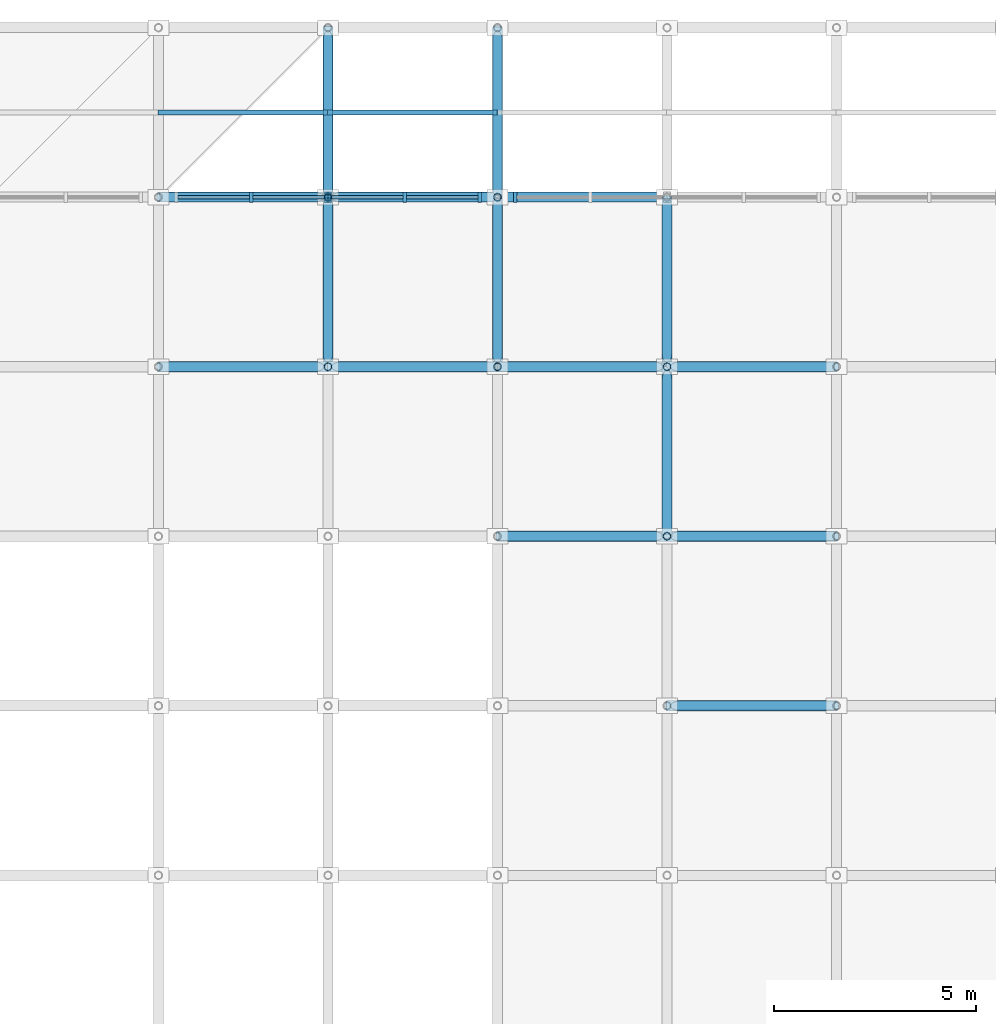
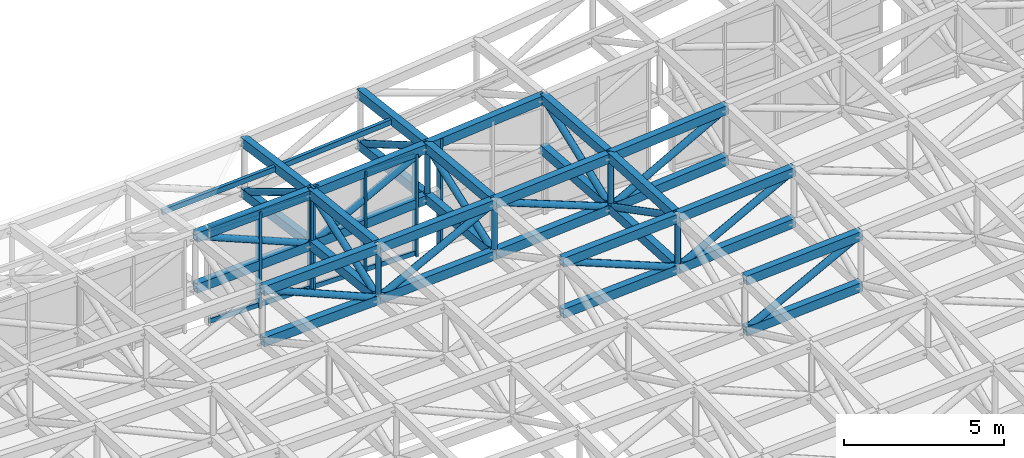
# One storey, part 54 of 111: 68 members, 3 elements without a shape of their own.
"""IFC4 building model written with IfcOpenShell, lengths in metres."""

from ifc_helpers import new_model, si_unit, direction, frame, origin, origin_2d, place, context, subcontext, project, spatial, rectangle, hollow_rectangle, hollow_circle, extrude, material, material_profile, profile_set, type_object, element, aggregate, save


model = new_model("IFC4")

# Units and contexts
model_context = context("Model", 3, precision=1e-05, world=origin(), true_north=direction((0.0, 1.0)))
body_context = subcontext(model_context, "Body", "Model", "MODEL_VIEW")
ifc_project = project(units=[si_unit("LENGTHUNIT", "METRE"), si_unit("AREAUNIT", "SQUARE_METRE"), si_unit("VOLUMEUNIT", "CUBIC_METRE"), si_unit("PLANEANGLEUNIT", "RADIAN"), si_unit("MASSUNIT", "GRAM", prefix="KILO")], contexts=[model_context])

# Site, building, storey
site_placement = place(None, origin())
site = spatial("IfcSite", under=ifc_project, at=site_placement, CompositionType="ELEMENT")
building_placement = place(site_placement, origin())
building = spatial("IfcBuilding", under=site, at=building_placement, Name="Cumbredor Promenade Congress Hotel", CompositionType="ELEMENT")
storey_placement = place(building_placement, frame((0.0, 0.0, 15.1201171875)))
storey = spatial("IfcBuildingStorey", under=building, at=storey_placement, Name="L04", CompositionType="ELEMENT", Elevation=15.1201171875)

# Curtain wall, members
ifc_material_1 = material(Name="Thermally broken anodized aluminium and low-E glass", Category="aluminium")
curtain_wall_type = type_object("IfcCurtainWallType", Name="Stepped Pavilion Clerestory Curtain Wall CW-06", PredefinedType="NOTDEFINED", material=ifc_material_1)
curtain_wall_1_placement = place(storey_placement, origin())
curtain_wall_1 = element("IfcCurtainWall", 1, at=curtain_wall_1_placement, inside=storey, type_object=curtain_wall_type, Name="Pre-Function and Breakout Meeting Forum N Glazed Clerestory 13", PredefinedType="NOTDEFINED")
ifc_material_2 = material(Name="Thermally broken anodized aluminium", Category="aluminium")
ifc_material_profile_1 = material_profile(ifc_material_2, rectangle(XDim=0.0849609375, YDim=0.260009765625, at=origin_2d()), Name="ALU MULLION CLERESTORY 85x260")
ifc_profile_set_1 = profile_set([ifc_material_profile_1], Name="Thermally broken anodized aluminium")
member_type_1 = type_object("IfcMemberType", Name="Curtain Wall Mullion ML-04", PredefinedType="MULLION", material=ifc_profile_set_1)
member_1_placement = place(storey_placement, frame((145.10009765625, 117.60009765625, -0.01806640625), z_axis=(0.0, 0.0, 1.0), x_axis=(1.0, 0.0, 0.0)))
member_1 = element("IfcMember", 2, at=member_1_placement, type_object=member_type_1, Name="Pre-Function and Breakout Meeting Forum N Glazed Clerestory 13 Mullion 2", PredefinedType="MULLION", context=body_context, shape_type="SweptSolid", body=[
    extrude(rectangle(XDim=0.0849609375, YDim=0.260009765625, at=origin_2d()), origin(), (0.0, 0.0, 1.0), 3.71533203125),
])
member_2_placement = place(storey_placement, frame((146.9599609375, 117.60009765625, -0.01806640625), z_axis=(0.0, 0.0, 1.0), x_axis=(1.0, 0.0, 0.0)))
member_2 = element("IfcMember", 3, at=member_2_placement, type_object=member_type_1, Name="Pre-Function and Breakout Meeting Forum N Glazed Clerestory 13 Mullion 3", PredefinedType="MULLION", context=body_context, shape_type="SweptSolid", body=[
    extrude(rectangle(XDim=0.0849609375, YDim=0.260009765625, at=origin_2d()), origin(), (0.0, 0.0, 1.0), 3.71533203125),
])

curtain_wall_2_placement = place(storey_placement, origin())
curtain_wall_2 = element("IfcCurtainWall", 4, at=curtain_wall_2_placement, inside=storey, type_object=curtain_wall_type, Name="Pre-Function and Breakout Meeting Forum N Glazed Clerestory 14", PredefinedType="NOTDEFINED")
member_3_placement = place(storey_placement, frame((147.0400390625, 117.60009765625, -0.01806640625), z_axis=(0.0, 0.0, 1.0), x_axis=(1.0, 0.0, 0.0)))
member_3 = element("IfcMember", 5, at=member_3_placement, type_object=member_type_1, Name="Pre-Function and Breakout Meeting Forum N Glazed Clerestory 14 Mullion 1", PredefinedType="MULLION", context=body_context, shape_type="SweptSolid", body=[
    extrude(rectangle(XDim=0.0849609375, YDim=0.260009765625, at=origin_2d()), origin(), (0.0, 0.0, 1.0), 3.92626953125),
])
member_4_placement = place(storey_placement, frame((148.89990234375, 117.60009765625, -0.01806640625), z_axis=(0.0, 0.0, 1.0), x_axis=(1.0, 0.0, 0.0)))
member_4 = element("IfcMember", 6, at=member_4_placement, type_object=member_type_1, Name="Pre-Function and Breakout Meeting Forum N Glazed Clerestory 14 Mullion 2", PredefinedType="MULLION", context=body_context, shape_type="SweptSolid", body=[
    extrude(rectangle(XDim=0.0849609375, YDim=0.260009765625, at=origin_2d()), origin(), (0.0, 0.0, 1.0), 3.92626953125),
])
member_5_placement = place(storey_placement, frame((150.760009765625, 117.60009765625, -0.01806640625), z_axis=(0.0, 0.0, 1.0), x_axis=(1.0, 0.0, 0.0)))
member_5 = element("IfcMember", 7, at=member_5_placement, type_object=member_type_1, Name="Pre-Function and Breakout Meeting Forum N Glazed Clerestory 14 Mullion 3", PredefinedType="MULLION", context=body_context, shape_type="SweptSolid", body=[
    extrude(rectangle(XDim=0.0849609375, YDim=0.260009765625, at=origin_2d()), origin(), (0.0, 0.0, 1.0), 3.92626953125),
])

# Curtain wall, member
curtain_wall_3_placement = place(storey_placement, origin())
curtain_wall_3 = element("IfcCurtainWall", 8, at=curtain_wall_3_placement, inside=storey, type_object=curtain_wall_type, Name="Pre-Function and Breakout Meeting Forum N Glazed Clerestory 15", PredefinedType="NOTDEFINED")
member_6_placement = place(storey_placement, frame((151.639892578125, 117.60009765625, -0.01806640625), z_axis=(0.0, 0.0, 1.0), x_axis=(1.0, 0.0, 0.0)))
member_6 = element("IfcMember", 9, at=member_6_placement, type_object=member_type_1, Name="Pre-Function and Breakout Meeting Forum N Glazed Clerestory 15 Mullion 1", PredefinedType="MULLION", context=body_context, shape_type="SweptSolid", body=[
    extrude(rectangle(XDim=0.0849609375, YDim=0.260009765625, at=origin_2d()), origin(), (0.0, 0.0, 1.0), 4.221435546875),
])
aggregate(curtain_wall_3, [member_6])

# Member
ifc_material_profile_2 = material_profile(ifc_material_2, rectangle(XDim=0.080078125, YDim=0.179931640625, at=origin_2d()), Name="ALU TRANSOM 80x180")
ifc_profile_set_2 = profile_set([ifc_material_profile_2], Name="Thermally broken anodized aluminium")
member_type_2 = type_object("IfcMemberType", Name="Curtain Wall Transom TR-03", PredefinedType="USERDEFINED", material=ifc_profile_set_2)
member_7_placement = place(storey_placement, frame((143.282470703125, 117.60009765625, 0.079833984375), z_axis=(1.0, 0.0, 0.0), x_axis=(0.0, 1.0, 0.0)))
member_7 = element("IfcMember", 10, at=member_7_placement, type_object=member_type_2, Name="Pre-Function and Breakout Meeting Forum N Glazed Clerestory 13 Transom 1.1", ObjectType="TRANSOM", PredefinedType="USERDEFINED", context=body_context, shape_type="SweptSolid", body=[
    extrude(rectangle(XDim=0.080078125, YDim=0.179931640625, at=origin_2d()), origin(), (0.0, 0.0, 1.0), 1.775146484375),
])

member_8_placement = place(storey_placement, frame((143.282470703125, 117.60009765625, 3.599853515625), z_axis=(1.0, 0.0, 0.0), x_axis=(0.0, 1.0, 0.0)))
member_8 = element("IfcMember", 11, at=member_8_placement, type_object=member_type_2, Name="Pre-Function and Breakout Meeting Forum N Glazed Clerestory 13 Transom 1.2", ObjectType="TRANSOM", PredefinedType="USERDEFINED", context=body_context, shape_type="SweptSolid", body=[
    extrude(rectangle(XDim=0.080078125, YDim=0.179931640625, at=origin_2d()), origin(), (0.0, 0.0, 1.0), 1.775146484375),
])

member_9_placement = place(storey_placement, frame((145.142578125, 117.60009765625, 0.079833984375), z_axis=(1.0, 0.0, 0.0), x_axis=(0.0, 1.0, 0.0)))
member_9 = element("IfcMember", 12, at=member_9_placement, type_object=member_type_2, Name="Pre-Function and Breakout Meeting Forum N Glazed Clerestory 13 Transom 2.1", ObjectType="TRANSOM", PredefinedType="USERDEFINED", context=body_context, shape_type="SweptSolid", body=[
    extrude(rectangle(XDim=0.080078125, YDim=0.179931640625, at=origin_2d()), origin(), (0.0, 0.0, 1.0), 1.77490234375),
])

member_10_placement = place(storey_placement, frame((145.142578125, 117.60009765625, 3.599853515625), z_axis=(1.0, 0.0, 0.0), x_axis=(0.0, 1.0, 0.0)))
member_10 = element("IfcMember", 13, at=member_10_placement, type_object=member_type_2, Name="Pre-Function and Breakout Meeting Forum N Glazed Clerestory 13 Transom 2.2", ObjectType="TRANSOM", PredefinedType="USERDEFINED", context=body_context, shape_type="SweptSolid", body=[
    extrude(rectangle(XDim=0.080078125, YDim=0.179931640625, at=origin_2d()), origin(), (0.0, 0.0, 1.0), 1.77490234375),
])

aggregate(curtain_wall_1, [member_1, member_2, member_7, member_8, member_9, member_10])

member_11_placement = place(storey_placement, frame((147.08251953125, 117.60009765625, 0.079833984375), z_axis=(1.0, 0.0, 0.0), x_axis=(0.0, 1.0, 0.0)))
member_11 = element("IfcMember", 14, at=member_11_placement, type_object=member_type_2, Name="Pre-Function and Breakout Meeting Forum N Glazed Clerestory 14 Transom 1.1", ObjectType="TRANSOM", PredefinedType="USERDEFINED", context=body_context, shape_type="SweptSolid", body=[
    extrude(rectangle(XDim=0.080078125, YDim=0.179931640625, at=origin_2d()), origin(), (0.0, 0.0, 1.0), 1.77490234375),
])

member_12_placement = place(storey_placement, frame((147.08251953125, 117.60009765625, 3.809814453125), z_axis=(1.0, 0.0, 0.0), x_axis=(0.0, 1.0, 0.0)))
member_12 = element("IfcMember", 15, at=member_12_placement, type_object=member_type_2, Name="Pre-Function and Breakout Meeting Forum N Glazed Clerestory 14 Transom 1.2", ObjectType="TRANSOM", PredefinedType="USERDEFINED", context=body_context, shape_type="SweptSolid", body=[
    extrude(rectangle(XDim=0.080078125, YDim=0.179931640625, at=origin_2d()), origin(), (0.0, 0.0, 1.0), 1.77490234375),
])

member_13_placement = place(storey_placement, frame((148.9423828125, 117.60009765625, 0.079833984375), z_axis=(1.0, 0.0, 0.0), x_axis=(0.0, 1.0, 0.0)))
member_13 = element("IfcMember", 16, at=member_13_placement, type_object=member_type_2, Name="Pre-Function and Breakout Meeting Forum N Glazed Clerestory 14 Transom 2.1", ObjectType="TRANSOM", PredefinedType="USERDEFINED", context=body_context, shape_type="SweptSolid", body=[
    extrude(rectangle(XDim=0.080078125, YDim=0.179931640625, at=origin_2d()), origin(), (0.0, 0.0, 1.0), 1.775146484375),
])

member_14_placement = place(storey_placement, frame((148.9423828125, 117.60009765625, 3.809814453125), z_axis=(1.0, 0.0, 0.0), x_axis=(0.0, 1.0, 0.0)))
member_14 = element("IfcMember", 17, at=member_14_placement, type_object=member_type_2, Name="Pre-Function and Breakout Meeting Forum N Glazed Clerestory 14 Transom 2.2", ObjectType="TRANSOM", PredefinedType="USERDEFINED", context=body_context, shape_type="SweptSolid", body=[
    extrude(rectangle(XDim=0.080078125, YDim=0.179931640625, at=origin_2d()), origin(), (0.0, 0.0, 1.0), 1.775146484375),
])

aggregate(curtain_wall_2, [member_3, member_4, member_5, member_11, member_12, member_13, member_14])

# Members
ifc_material_3 = material(Name="Steel ASTM A500 Grade C", Category="steel")
ifc_material_profile_3 = material_profile(ifc_material_3, hollow_rectangle(XDim=0.25, YDim=0.35009765625, WallThickness=0.01611328125, at=origin_2d()), Name="HSS 350x250x16")
ifc_profile_set_3 = profile_set([ifc_material_profile_3], Name="Steel ASTM A500 Grade C")
member_type_3 = type_object("IfcMemberType", Name="Forum Roof Truss Chord", PredefinedType="CHORD", material=ifc_profile_set_3)
for number, where, z_axis, x_axis, name in (
    (18, (155.39990234375, 105.0, 5.078369140625), (0.997980600233, 0.0, 0.063519458106), (0.0, 1.0, 0.0), "Pre-Function and Breakout Meeting Forum X Top Chord 17.7"),
    (19, (155.39990234375, 105.0, 3.12841796875), (0.997980600233, 0.0, 0.063519458106), (0.0, 1.0, 0.0), "Pre-Function and Breakout Meeting Forum X Bottom Chord 17.7"),
):
    element("IfcMember", number, at=place(storey_placement, frame(where, z_axis=z_axis, x_axis=x_axis)), inside=storey, type_object=member_type_3, Name=name, PredefinedType="CHORD", context=body_context, shape_type="SweptSolid", body=[
        extrude(hollow_rectangle(XDim=0.25, YDim=0.35009765625, WallThickness=0.01611328125, at=origin_2d()), origin(), (0.0, 0.0, 1.0), 4.208740234375),
    ])
for number, where, z_axis, x_axis, name in (
    (20, (151.199951171875, 109.199951171875, 4.68798828125), (0.998219316899, 0.0, 0.05965061081), (0.0, 1.0, 0.0), "Pre-Function and Breakout Meeting Forum X Top Chord 16.8"),
    (21, (151.199951171875, 109.199951171875, 2.738037109375), (0.998219316899, 0.0, 0.05965061081), (0.0, 1.0, 0.0), "Pre-Function and Breakout Meeting Forum X Bottom Chord 16.8"),
):
    element("IfcMember", number, at=place(storey_placement, frame(where, z_axis=z_axis, x_axis=x_axis)), inside=storey, type_object=member_type_3, Name=name, PredefinedType="CHORD", context=body_context, shape_type="SweptSolid", body=[
        extrude(hollow_rectangle(XDim=0.25, YDim=0.35009765625, WallThickness=0.01611328125, at=origin_2d()), origin(), (0.0, 0.0, 1.0), 4.20751953125),
    ])
for number, where, z_axis, x_axis, name in (
    (22, (155.39990234375, 109.199951171875, 4.93896484375), (0.997345647622, 0.0, 0.072812493223), (0.0, 1.0, 0.0), "Pre-Function and Breakout Meeting Forum X Top Chord 17.8"),
    (23, (155.39990234375, 109.199951171875, 2.989013671875), (0.997345647622, 0.0, 0.072812493223), (0.0, 1.0, 0.0), "Pre-Function and Breakout Meeting Forum X Bottom Chord 17.8"),
):
    element("IfcMember", number, at=place(storey_placement, frame(where, z_axis=z_axis, x_axis=x_axis)), inside=storey, type_object=member_type_3, Name=name, PredefinedType="CHORD", context=body_context, shape_type="SweptSolid", body=[
        extrude(hollow_rectangle(XDim=0.25, YDim=0.35009765625, WallThickness=0.01611328125, at=origin_2d()), origin(), (0.0, 0.0, 1.0), 4.21142578125),
    ])
for number, where, z_axis, x_axis, name in (
    (24, (142.800048828125, 113.39990234375, 3.99609375), (0.999187261443, 0.0, 0.040309013512), (0.0, 1.0, 0.0), "Pre-Function and Breakout Meeting Forum X Top Chord 14.9"),
    (25, (142.800048828125, 113.39990234375, 2.046142578125), (0.999187261443, 0.0, 0.040309013512), (0.0, 1.0, 0.0), "Pre-Function and Breakout Meeting Forum X Bottom Chord 14.9"),
):
    element("IfcMember", number, at=place(storey_placement, frame(where, z_axis=z_axis, x_axis=x_axis)), inside=storey, type_object=member_type_3, Name=name, PredefinedType="CHORD", context=body_context, shape_type="SweptSolid", body=[
        extrude(hollow_rectangle(XDim=0.25, YDim=0.35009765625, WallThickness=0.01611328125, at=origin_2d()), origin(), (0.0, 0.0, 1.0), 4.203369140625),
    ])
for number, where, z_axis, x_axis, name in (
    (26, (147.0, 113.39990234375, 4.16552734375), (0.998414117425, 0.0, 0.05629609335), (0.0, 1.0, 0.0), "Pre-Function and Breakout Meeting Forum X Top Chord 15.9"),
    (27, (147.0, 113.39990234375, 2.215576171875), (0.998414117425, 0.0, 0.05629609335), (0.0, 1.0, 0.0), "Pre-Function and Breakout Meeting Forum X Bottom Chord 15.9"),
):
    element("IfcMember", number, at=place(storey_placement, frame(where, z_axis=z_axis, x_axis=x_axis)), inside=storey, type_object=member_type_3, Name=name, PredefinedType="CHORD", context=body_context, shape_type="SweptSolid", body=[
        extrude(hollow_rectangle(XDim=0.25, YDim=0.35009765625, WallThickness=0.01611328125, at=origin_2d()), origin(), (0.0, 0.0, 1.0), 4.20654296875),
    ])
for number, where, z_axis, x_axis, name in (
    (28, (151.199951171875, 113.39990234375, 4.40234375), (0.997383099758, 0.0, 0.072297664675), (0.0, 1.0, 0.0), "Pre-Function and Breakout Meeting Forum X Top Chord 16.9"),
    (29, (151.199951171875, 113.39990234375, 2.452392578125), (0.997383099758, 0.0, 0.072297664675), (0.0, 1.0, 0.0), "Pre-Function and Breakout Meeting Forum X Bottom Chord 16.9"),
):
    element("IfcMember", number, at=place(storey_placement, frame(where, z_axis=z_axis, x_axis=x_axis)), inside=storey, type_object=member_type_3, Name=name, PredefinedType="CHORD", context=body_context, shape_type="SweptSolid", body=[
        extrude(hollow_rectangle(XDim=0.25, YDim=0.35009765625, WallThickness=0.01611328125, at=origin_2d()), origin(), (0.0, 0.0, 1.0), 4.2109375),
    ])
for number, where, z_axis, x_axis, name in (
    (30, (155.39990234375, 113.39990234375, 4.706787109375), (0.996094283967, 0.0, 0.088295965069), (0.0, 1.0, 0.0), "Pre-Function and Breakout Meeting Forum X Top Chord 17.9"),
    (31, (155.39990234375, 113.39990234375, 2.7568359375), (0.996099374617, 0.0, 0.088238517026), (0.0, 1.0, 0.0), "Pre-Function and Breakout Meeting Forum X Bottom Chord 17.9"),
):
    element("IfcMember", number, at=place(storey_placement, frame(where, z_axis=z_axis, x_axis=x_axis)), inside=storey, type_object=member_type_3, Name=name, PredefinedType="CHORD", context=body_context, shape_type="SweptSolid", body=[
        extrude(hollow_rectangle(XDim=0.25, YDim=0.35009765625, WallThickness=0.01611328125, at=origin_2d()), origin(), (0.0, 0.0, 1.0), 4.216552734375),
    ])
for number, where, z_axis, x_axis, name in (
    (32, (142.800048828125, 117.60009765625, 3.49609375), (0.998741166039, 0.0, 0.050160574752), (0.0, 1.0, 0.0), "Pre-Function and Breakout Meeting Forum X Top Chord 14.10"),
    (33, (142.800048828125, 117.60009765625, 1.546142578125), (0.998741166039, 0.0, 0.050160574752), (0.0, 1.0, 0.0), "Pre-Function and Breakout Meeting Forum X Bottom Chord 14.10"),
):
    element("IfcMember", number, at=place(storey_placement, frame(where, z_axis=z_axis, x_axis=x_axis)), inside=storey, type_object=member_type_3, Name=name, PredefinedType="CHORD", context=body_context, shape_type="SweptSolid", body=[
        extrude(hollow_rectangle(XDim=0.25, YDim=0.35009765625, WallThickness=0.01611328125, at=origin_2d()), origin(), (0.0, 0.0, 1.0), 4.205322265625),
    ])
for number, where, z_axis, x_axis, name in (
    (34, (147.0, 117.60009765625, 3.70703125), (0.997535524008, 0.0, 0.070163226417), (0.0, 1.0, 0.0), "Pre-Function and Breakout Meeting Forum X Top Chord 15.10"),
    (35, (147.0, 117.60009765625, 1.757080078125), (0.997535524008, 0.0, 0.070163226417), (0.0, 1.0, 0.0), "Pre-Function and Breakout Meeting Forum X Bottom Chord 15.10"),
):
    element("IfcMember", number, at=place(storey_placement, frame(where, z_axis=z_axis, x_axis=x_axis)), inside=storey, type_object=member_type_3, Name=name, PredefinedType="CHORD", context=body_context, shape_type="SweptSolid", body=[
        extrude(hollow_rectangle(XDim=0.25, YDim=0.35009765625, WallThickness=0.01611328125, at=origin_2d()), origin(), (0.0, 0.0, 1.0), 4.21044921875),
    ])
member_15_placement = place(storey_placement, frame((151.199951171875, 117.60009765625, 4.00244140625), z_axis=(0.995944768606, 0.0, 0.089966759892), x_axis=(0.0, 1.0, 0.0)))
element("IfcMember", 36, at=member_15_placement, inside=storey, type_object=member_type_3, Name="Pre-Function and Breakout Meeting Forum X Top Chord 16.10", PredefinedType="CHORD", context=body_context, shape_type="SweptSolid", body=[
    extrude(hollow_rectangle(XDim=0.25, YDim=0.35009765625, WallThickness=0.01611328125, at=origin_2d()), origin(), (0.0, 0.0, 1.0), 4.217041015625),
])
for number, where, z_axis, x_axis, name in (
    (37, (147.0, 113.39990234375, 4.16552734375), (0.0, 0.99409469892, -0.108516033746), (-1.0, 0.0, 0.0), "Pre-Function and Breakout Meeting Forum Y Top Chord 15.9"),
    (38, (147.0, 113.39990234375, 2.215576171875), (0.0, 0.99409469892, -0.108516033746), (-1.0, 0.0, 0.0), "Pre-Function and Breakout Meeting Forum Y Bottom Chord 15.9"),
):
    element("IfcMember", number, at=place(storey_placement, frame(where, z_axis=z_axis, x_axis=x_axis)), inside=storey, type_object=member_type_3, Name=name, PredefinedType="CHORD", context=body_context, shape_type="SweptSolid", body=[
        extrude(hollow_rectangle(XDim=0.25, YDim=0.35009765625, WallThickness=0.01611328125, at=origin_2d()), origin(), (0.0, 0.0, 1.0), 4.22509765625),
    ])
for number, where, z_axis, x_axis, name in (
    (39, (147.0, 117.60009765625, 3.70703125), (0.0, 0.990352968068, -0.138567668089), (-1.0, 0.0, 0.0), "Pre-Function and Breakout Meeting Forum Y Top Chord 15.10"),
    (40, (147.0, 117.60009765625, 1.757080078125), (0.0, 0.990352968068, -0.138567668089), (-1.0, 0.0, 0.0), "Pre-Function and Breakout Meeting Forum Y Bottom Chord 15.10"),
):
    element("IfcMember", number, at=place(storey_placement, frame(where, z_axis=z_axis, x_axis=x_axis)), inside=storey, type_object=member_type_3, Name=name, PredefinedType="CHORD", context=body_context, shape_type="SweptSolid", body=[
        extrude(hollow_rectangle(XDim=0.25, YDim=0.35009765625, WallThickness=0.01611328125, at=origin_2d()), origin(), (0.0, 0.0, 1.0), 4.240966796875),
    ])
for number, where, z_axis, x_axis, name in (
    (41, (151.199951171875, 113.39990234375, 4.40234375), (0.0, 0.995498072864, -0.094781785826), (-1.0, 0.0, 0.0), "Pre-Function and Breakout Meeting Forum Y Top Chord 16.9"),
    (42, (151.199951171875, 113.39990234375, 2.452392578125), (0.0, 0.995498072864, -0.094781785826), (-1.0, 0.0, 0.0), "Pre-Function and Breakout Meeting Forum Y Bottom Chord 16.9"),
):
    element("IfcMember", number, at=place(storey_placement, frame(where, z_axis=z_axis, x_axis=x_axis)), inside=storey, type_object=member_type_3, Name=name, PredefinedType="CHORD", context=body_context, shape_type="SweptSolid", body=[
        extrude(hollow_rectangle(XDim=0.25, YDim=0.35009765625, WallThickness=0.01611328125, at=origin_2d()), origin(), (0.0, 0.0, 1.0), 4.21923828125),
    ])
for number, where, z_axis, x_axis, name in (
    (43, (151.199951171875, 117.60009765625, 4.00244140625), (0.0, 0.992631496019, -0.121172245634), (-1.0, 0.0, 0.0), "Pre-Function and Breakout Meeting Forum Y Top Chord 16.10"),
    (44, (151.199951171875, 117.60009765625, 2.052490234375), (0.0, 0.992631496019, -0.121172245634), (-1.0, 0.0, 0.0), "Pre-Function and Breakout Meeting Forum Y Bottom Chord 16.10"),
):
    element("IfcMember", number, at=place(storey_placement, frame(where, z_axis=z_axis, x_axis=x_axis)), inside=storey, type_object=member_type_3, Name=name, PredefinedType="CHORD", context=body_context, shape_type="SweptSolid", body=[
        extrude(hollow_rectangle(XDim=0.25, YDim=0.35009765625, WallThickness=0.01611328125, at=origin_2d()), origin(), (0.0, 0.0, 1.0), 4.231201171875),
    ])
for number, where, z_axis, x_axis, name in (
    (45, (155.39990234375, 109.199951171875, 4.93896484375), (0.0, 0.998475495714, -0.055196779424), (-1.0, 0.0, 0.0), "Pre-Function and Breakout Meeting Forum Y Top Chord 17.8"),
    (46, (155.39990234375, 109.199951171875, 2.989013671875), (0.0, 0.998475495714, -0.055196779424), (-1.0, 0.0, 0.0), "Pre-Function and Breakout Meeting Forum Y Bottom Chord 17.8"),
):
    element("IfcMember", number, at=place(storey_placement, frame(where, z_axis=z_axis, x_axis=x_axis)), inside=storey, type_object=member_type_3, Name=name, PredefinedType="CHORD", context=body_context, shape_type="SweptSolid", body=[
        extrude(hollow_rectangle(XDim=0.25, YDim=0.35009765625, WallThickness=0.01611328125, at=origin_2d()), origin(), (0.0, 0.0, 1.0), 4.206298828125),
    ])
for number, where, z_axis, x_axis, name in (
    (47, (155.39990234375, 113.39990234375, 4.706787109375), (0.0, 0.997020639966, -0.07713522854), (-1.0, 0.0, 0.0), "Pre-Function and Breakout Meeting Forum Y Top Chord 17.9"),
    (48, (155.39990234375, 113.39990234375, 2.7568359375), (0.0, 0.997020639966, -0.07713522854), (-1.0, 0.0, 0.0), "Pre-Function and Breakout Meeting Forum Y Bottom Chord 17.9"),
):
    element("IfcMember", number, at=place(storey_placement, frame(where, z_axis=z_axis, x_axis=x_axis)), inside=storey, type_object=member_type_3, Name=name, PredefinedType="CHORD", context=body_context, shape_type="SweptSolid", body=[
        extrude(hollow_rectangle(XDim=0.25, YDim=0.35009765625, WallThickness=0.01611328125, at=origin_2d()), origin(), (0.0, 0.0, 1.0), 4.212646484375),
    ])
ifc_material_profile_4 = material_profile(ifc_material_3, hollow_rectangle(XDim=0.1201171875, YDim=0.199951171875, WallThickness=0.010009765625, at=origin_2d()), Name="HSS 200x120x10")
ifc_profile_set_4 = profile_set([ifc_material_profile_4], Name="Steel ASTM A500 Grade C")
member_type_4 = type_object("IfcMemberType", Name="Roof Purlin HSS200x120", PredefinedType="PURLIN", material=ifc_profile_set_4)
member_16_placement = place(storey_placement, frame((142.800048828125, 119.699951171875, 3.155517578125), z_axis=(0.998401042431, 0.0, 0.056527501908), x_axis=(0.0, 1.0, 0.0)))
element("IfcMember", 49, at=member_16_placement, inside=storey, type_object=member_type_4, Name="Pre-Function and Breakout Meeting Forum Roof Eave Purlin 14.10", PredefinedType="PURLIN", context=body_context, shape_type="SweptSolid", body=[
    extrude(hollow_rectangle(XDim=0.1201171875, YDim=0.199951171875, WallThickness=0.010009765625, at=origin_2d()), origin(), (0.0, 0.0, 1.0), 4.206787109375),
])
member_17_placement = place(storey_placement, frame((147.0, 119.699951171875, 3.393310546875), z_axis=(0.996875975004, 0.0, 0.07898284915), x_axis=(0.0, 1.0, 0.0)))
element("IfcMember", 50, at=member_17_placement, inside=storey, type_object=member_type_4, Name="Pre-Function and Breakout Meeting Forum Roof Eave Purlin 15.10", PredefinedType="PURLIN", context=body_context, shape_type="SweptSolid", body=[
    extrude(hollow_rectangle(XDim=0.1201171875, YDim=0.199951171875, WallThickness=0.010009765625, at=origin_2d()), origin(), (0.0, 0.0, 1.0), 4.213134765625),
])
ifc_material_profile_5 = material_profile(ifc_material_3, hollow_circle(Radius=0.122314453125, WallThickness=0.012451171875, at=origin_2d()), Name="CHS 244.5x12.5")
ifc_profile_set_5 = profile_set([ifc_material_profile_5], Name="Steel ASTM A500 Grade C")
member_type_5 = type_object("IfcMemberType", Name="Space Frame Web Diagonal D2", PredefinedType="BRACE", material=ifc_profile_set_5)
member_18_placement = place(storey_placement, frame((155.39990234375, 105.0, 3.12841796875), z_axis=(0.884339953263, 0.0, 0.466843493114), x_axis=(0.0, 1.0, 0.0)))
element("IfcMember", 51, at=member_18_placement, inside=storey, type_object=member_type_5, Name="Pre-Function and Breakout Meeting Forum X Web Diagonal 17.7", PredefinedType="BRACE", context=body_context, shape_type="SweptSolid", body=[
    extrude(hollow_circle(Radius=0.122314453125, WallThickness=0.012451171875, at=origin_2d()), origin(), (0.0, 0.0, 1.0), 4.74951171875),
])
member_19_placement = place(storey_placement, frame((151.199951171875, 109.199951171875, 4.68798828125), z_axis=(0.927023989258, 0.0, -0.375002031114), x_axis=(0.0, 1.0, 0.0)))
element("IfcMember", 52, at=member_19_placement, inside=storey, type_object=member_type_5, Name="Pre-Function and Breakout Meeting Forum X Web Diagonal 16.8", PredefinedType="BRACE", context=body_context, shape_type="SweptSolid", body=[
    extrude(hollow_circle(Radius=0.122314453125, WallThickness=0.012451171875, at=origin_2d()), origin(), (0.0, 0.0, 1.0), 4.530517578125),
])
member_20_placement = place(storey_placement, frame((155.39990234375, 109.199951171875, 2.989013671875), z_axis=(0.880912996908, 0.0, 0.473278239388), x_axis=(0.0, 1.0, 0.0)))
element("IfcMember", 53, at=member_20_placement, inside=storey, type_object=member_type_5, Name="Pre-Function and Breakout Meeting Forum X Web Diagonal 17.8", PredefinedType="BRACE", context=body_context, shape_type="SweptSolid", body=[
    extrude(hollow_circle(Radius=0.122314453125, WallThickness=0.012451171875, at=origin_2d()), origin(), (0.0, 0.0, 1.0), 4.76806640625),
])
member_21_placement = place(storey_placement, frame((142.800048828125, 113.39990234375, 3.99609375), z_axis=(0.920682624594, 0.0, -0.390312060755), x_axis=(0.0, 1.0, 0.0)))
element("IfcMember", 54, at=member_21_placement, inside=storey, type_object=member_type_5, Name="Pre-Function and Breakout Meeting Forum X Web Diagonal 14.9", PredefinedType="BRACE", context=body_context, shape_type="SweptSolid", body=[
    extrude(hollow_circle(Radius=0.122314453125, WallThickness=0.012451171875, at=origin_2d()), origin(), (0.0, 0.0, 1.0), 4.561767578125),
])
member_22_placement = place(storey_placement, frame((147.0, 113.39990234375, 2.215576171875), z_axis=(0.886975246992, 0.0, 0.461816967233), x_axis=(0.0, 1.0, 0.0)))
element("IfcMember", 55, at=member_22_placement, inside=storey, type_object=member_type_5, Name="Pre-Function and Breakout Meeting Forum X Web Diagonal 15.9", PredefinedType="BRACE", context=body_context, shape_type="SweptSolid", body=[
    extrude(hollow_circle(Radius=0.122314453125, WallThickness=0.012451171875, at=origin_2d()), origin(), (0.0, 0.0, 1.0), 4.735107421875),
])
member_23_placement = place(storey_placement, frame((151.199951171875, 113.39990234375, 4.40234375), z_axis=(0.931088577199, 0.0, -0.364793176209), x_axis=(0.0, 1.0, 0.0)))
element("IfcMember", 56, at=member_23_placement, inside=storey, type_object=member_type_5, Name="Pre-Function and Breakout Meeting Forum X Web Diagonal 16.9", PredefinedType="BRACE", context=body_context, shape_type="SweptSolid", body=[
    extrude(hollow_circle(Radius=0.122314453125, WallThickness=0.012451171875, at=origin_2d()), origin(), (0.0, 0.0, 1.0), 4.5107421875),
])
member_24_placement = place(storey_placement, frame((155.39990234375, 113.39990234375, 2.7568359375), z_axis=(0.875144044182, 0.0, 0.483862482461), x_axis=(0.0, 1.0, 0.0)))
element("IfcMember", 57, at=member_24_placement, inside=storey, type_object=member_type_5, Name="Pre-Function and Breakout Meeting Forum X Web Diagonal 17.9", PredefinedType="BRACE", context=body_context, shape_type="SweptSolid", body=[
    extrude(hollow_circle(Radius=0.122314453125, WallThickness=0.012451171875, at=origin_2d()), origin(), (0.0, 0.0, 1.0), 4.79931640625),
])
member_25_placement = place(storey_placement, frame((142.800048828125, 117.60009765625, 3.49609375), z_axis=(0.923931095215, 0.0, -0.382558925258), x_axis=(0.0, 1.0, 0.0)))
element("IfcMember", 58, at=member_25_placement, inside=storey, type_object=member_type_5, Name="Pre-Function and Breakout Meeting Forum X Web Diagonal 14.10", PredefinedType="BRACE", context=body_context, shape_type="SweptSolid", body=[
    extrude(hollow_circle(Radius=0.122314453125, WallThickness=0.012451171875, at=origin_2d()), origin(), (0.0, 0.0, 1.0), 4.545654296875),
])
member_26_placement = place(storey_placement, frame((147.0, 117.60009765625, 1.757080078125), z_axis=(0.881882794883, 0.0, 0.471468701072), x_axis=(0.0, 1.0, 0.0)))
element("IfcMember", 59, at=member_26_placement, inside=storey, type_object=member_type_5, Name="Pre-Function and Breakout Meeting Forum X Web Diagonal 15.10", PredefinedType="BRACE", context=body_context, shape_type="SweptSolid", body=[
    extrude(hollow_circle(Radius=0.122314453125, WallThickness=0.012451171875, at=origin_2d()), origin(), (0.0, 0.0, 1.0), 4.762451171875),
])
member_27_placement = place(storey_placement, frame((147.0, 113.39990234375, 2.215576171875), z_axis=(0.0, 0.942352544983, 0.334621698285), x_axis=(-1.0, 0.0, 0.0)))
element("IfcMember", 60, at=member_27_placement, inside=storey, type_object=member_type_5, Name="Pre-Function and Breakout Meeting Forum Y Web Diagonal 15.9", PredefinedType="BRACE", context=body_context, shape_type="SweptSolid", body=[
    extrude(hollow_circle(Radius=0.122314453125, WallThickness=0.012451171875, at=origin_2d()), origin(), (0.0, 0.0, 1.0), 4.45703125),
])
member_28_placement = place(storey_placement, frame((147.0, 117.60009765625, 3.70703125), z_axis=(0.0, 0.8559040724, -0.517134623526), x_axis=(-1.0, 0.0, 0.0)))
element("IfcMember", 61, at=member_28_placement, inside=storey, type_object=member_type_5, Name="Pre-Function and Breakout Meeting Forum Y Web Diagonal 15.10", PredefinedType="BRACE", context=body_context, shape_type="SweptSolid", body=[
    extrude(hollow_circle(Radius=0.122314453125, WallThickness=0.012451171875, at=origin_2d()), origin(), (0.0, 0.0, 1.0), 4.906982421875),
])
member_29_placement = place(storey_placement, frame((151.199951171875, 113.39990234375, 2.452392578125), z_axis=(0.0, 0.93815397959, 0.346218299024), x_axis=(-1.0, 0.0, 0.0)))
element("IfcMember", 62, at=member_29_placement, inside=storey, type_object=member_type_5, Name="Pre-Function and Breakout Meeting Forum Y Web Diagonal 16.9", PredefinedType="BRACE", context=body_context, shape_type="SweptSolid", body=[
    extrude(hollow_circle(Radius=0.122314453125, WallThickness=0.012451171875, at=origin_2d()), origin(), (0.0, 0.0, 1.0), 4.47705078125),
])
member_30_placement = place(storey_placement, frame((151.199951171875, 117.60009765625, 4.00244140625), z_axis=(0.0, 0.862643648817, -0.505812154021), x_axis=(-1.0, 0.0, 0.0)))
element("IfcMember", 63, at=member_30_placement, inside=storey, type_object=member_type_5, Name="Pre-Function and Breakout Meeting Forum Y Web Diagonal 16.10", PredefinedType="BRACE", context=body_context, shape_type="SweptSolid", body=[
    extrude(hollow_circle(Radius=0.122314453125, WallThickness=0.012451171875, at=origin_2d()), origin(), (0.0, 0.0, 1.0), 4.86865234375),
])
member_31_placement = place(storey_placement, frame((155.39990234375, 109.199951171875, 4.93896484375), z_axis=(0.0, 0.887376368507, -0.461045746772), x_axis=(-1.0, 0.0, 0.0)))
element("IfcMember", 64, at=member_31_placement, inside=storey, type_object=member_type_5, Name="Pre-Function and Breakout Meeting Forum Y Web Diagonal 17.8", PredefinedType="BRACE", context=body_context, shape_type="SweptSolid", body=[
    extrude(hollow_circle(Radius=0.122314453125, WallThickness=0.012451171875, at=origin_2d()), origin(), (0.0, 0.0, 1.0), 4.73291015625),
])
member_32_placement = place(storey_placement, frame((155.39990234375, 113.39990234375, 2.7568359375), z_axis=(0.0, 0.932634018143, 0.360823763355), x_axis=(-1.0, 0.0, 0.0)))
element("IfcMember", 65, at=member_32_placement, inside=storey, type_object=member_type_5, Name="Pre-Function and Breakout Meeting Forum Y Web Diagonal 17.9", PredefinedType="BRACE", context=body_context, shape_type="SweptSolid", body=[
    extrude(hollow_circle(Radius=0.122314453125, WallThickness=0.012451171875, at=origin_2d()), origin(), (0.0, 0.0, 1.0), 4.503662109375),
])
ifc_material_profile_6 = material_profile(ifc_material_3, hollow_circle(Radius=0.096923828125, WallThickness=0.010009765625, at=origin_2d()), Name="CHS 193.7x10")
ifc_profile_set_6 = profile_set([ifc_material_profile_6], Name="Steel ASTM A500 Grade C")
member_type_6 = type_object("IfcMemberType", Name="Space Frame Web Post P1", PredefinedType="BRACE", material=ifc_profile_set_6)
for number, where, z_axis, x_axis, name in (
    (66, (147.0, 113.39990234375, 2.215576171875), (0.0, 0.0, 1.0), (1.0, 0.0, 0.0), "Pre-Function and Breakout Meeting Forum Space Frame Web Post 15.9"),
    (67, (147.0, 117.60009765625, 1.757080078125), (0.0, 0.0, 1.0), (1.0, 0.0, 0.0), "Pre-Function and Breakout Meeting Forum Space Frame Web Post 15.10"),
    (68, (151.199951171875, 113.39990234375, 2.452392578125), (0.0, 0.0, 1.0), (1.0, 0.0, 0.0), "Pre-Function and Breakout Meeting Forum Space Frame Web Post 16.9"),
    (69, (151.199951171875, 117.60009765625, 2.052490234375), (0.0, 0.0, 1.0), (1.0, 0.0, 0.0), "Pre-Function and Breakout Meeting Forum Space Frame Web Post 16.10"),
    (70, (155.39990234375, 109.199951171875, 2.989013671875), (0.0, 0.0, 1.0), (1.0, 0.0, 0.0), "Pre-Function and Breakout Meeting Forum Space Frame Web Post 17.8"),
    (71, (155.39990234375, 113.39990234375, 2.7568359375), (0.0, 0.0, 1.0), (1.0, 0.0, 0.0), "Pre-Function and Breakout Meeting Forum Space Frame Web Post 17.9"),
):
    element("IfcMember", number, at=place(storey_placement, frame(where, z_axis=z_axis, x_axis=x_axis)), inside=storey, type_object=member_type_6, Name=name, PredefinedType="BRACE", context=body_context, shape_type="SweptSolid", body=[
        extrude(hollow_circle(Radius=0.096923828125, WallThickness=0.010009765625, at=origin_2d()), origin(), (0.0, 0.0, 1.0), 1.949951171875),
    ])

save(model, "model.ifc")
